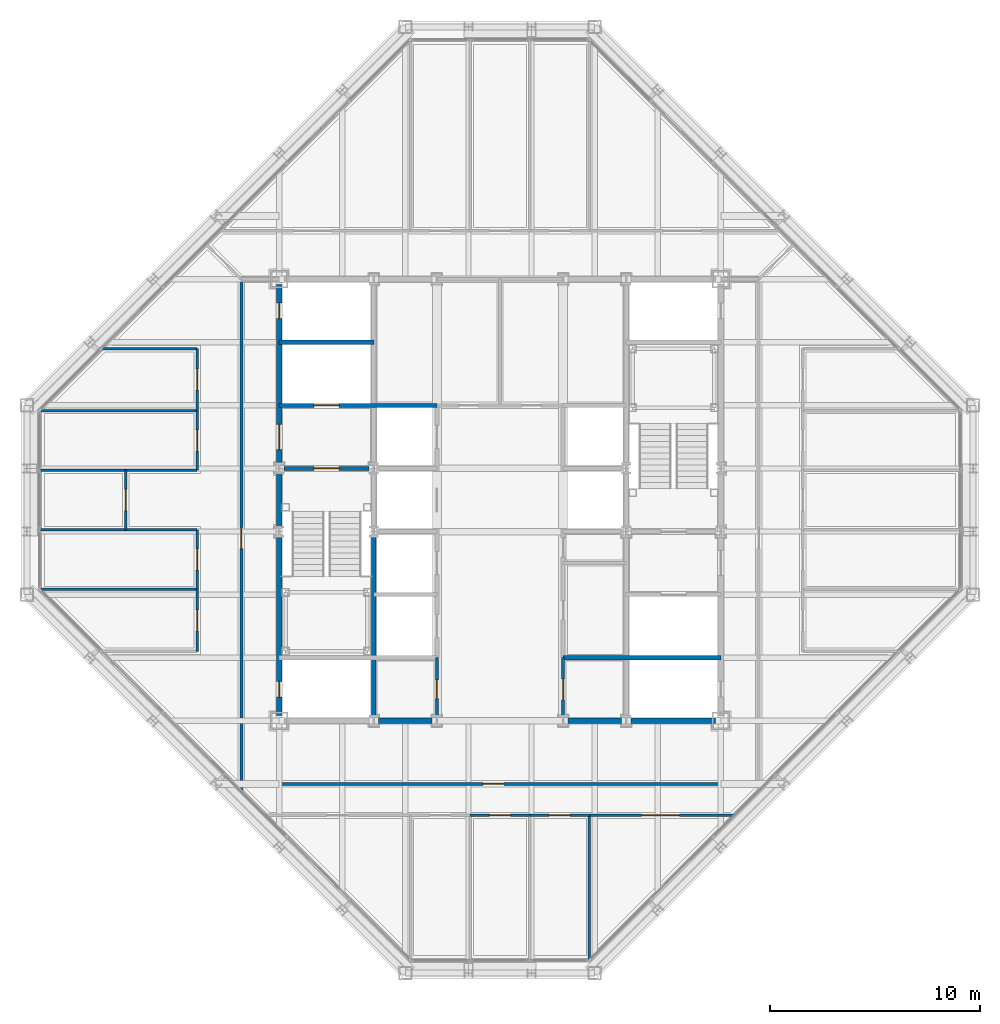
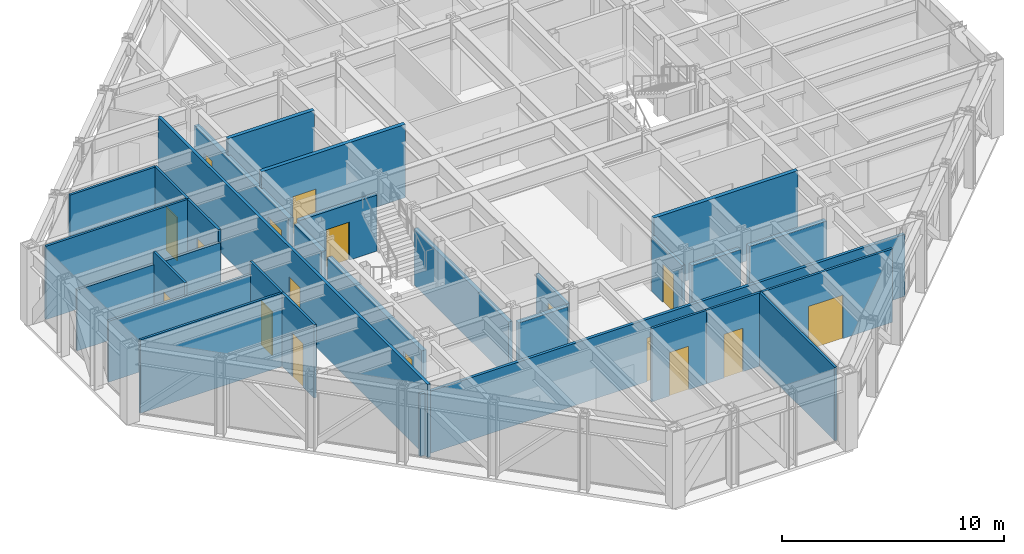
# One storey, part 10 of 15: 29 walls, 17 doors, 17 openings.
"""IFC4 building model written with IfcOpenShell, lengths in metres."""

from ifc_helpers import new_model, si_unit, direction, frame, frame_2d, origin, place, context, subcontext, project, spatial, rectangle, extrude, material, layer, layer_set, type_object, element, fill, save


model = new_model("IFC4")

# Units and contexts
model_context = context("Model", 3, precision=1e-05, world=origin(), true_north=direction((0.0, 1.0)))
body_context = subcontext(model_context, "Body", "Model", "MODEL_VIEW")
ifc_project = project(units=[si_unit("LENGTHUNIT", "METRE"), si_unit("AREAUNIT", "SQUARE_METRE"), si_unit("VOLUMEUNIT", "CUBIC_METRE"), si_unit("PLANEANGLEUNIT", "RADIAN"), si_unit("MASSUNIT", "GRAM", prefix="KILO")], contexts=[model_context])

# Site, building, storey
site_placement = place(None, origin())
site = spatial("IfcSite", under=ifc_project, at=site_placement, CompositionType="ELEMENT")
building_placement = place(site_placement, origin())
building = spatial("IfcBuilding", under=site, at=building_placement, Name="Chuquiago Exchange Tower", CompositionType="ELEMENT")
storey_placement = place(building_placement, frame((0.0, 0.0, 270.60009765625)))
storey = spatial("IfcBuildingStorey", under=building, at=storey_placement, Name="L60", CompositionType="ELEMENT", Elevation=270.60009765625)

# Wall, opening, door
ifc_material_1 = material(Name="Concrete masonry, fully grouted", Category="masonry")
ifc_layer_1 = layer(ifc_material_1, 0.25)
ifc_layer_set_1 = layer_set([ifc_layer_1], Name="W1 core wall 250")
wall_type_1 = type_object("IfcWallType", Name="W1 core wall 250", PredefinedType="SOLIDWALL", material=ifc_layer_set_1)
wall_1_placement = place(storey_placement, frame((12.0, 12.25, 0.0), z_axis=(0.0, 0.0, 1.0), x_axis=(0.0, 1.0, 0.0)))
wall_1 = element("IfcWall", 1, at=wall_1_placement, inside=storey, type_object=wall_type_1, Name="CW-L60-00-0", PredefinedType="SOLIDWALL", context=body_context, shape_type="SweptSolid", body=[
    extrude(rectangle(XDim=8.5, YDim=0.25, at=frame_2d((4.25, 0.0))), origin(), (0.0, 0.0, 1.0), 3.11279296875),
])
opening_1_placement = place(wall_1_placement, frame((0.875, 0.0, 0.0)))
opening_1 = element("IfcOpeningElement", 2, at=opening_1_placement, cuts=wall_1, Name="Opening L60-007", PredefinedType="OPENING", context=body_context, shape_type="SweptSolid", body=[
    extrude(rectangle(XDim=0.75, YDim=2.10009765625, at=frame_2d((0.375, 1.050048828125))), frame((0.0, 0.135009765625, 0.0), z_axis=(0.0, -1.0, 0.0), x_axis=(1.0, 0.0, 0.0)), (0.0, 0.0, 1.0), 0.27001953125),
])
ifc_material_2 = material(Name="Steel door, painted", Category="steel")
door_type_1 = type_object("IfcDoorType", Name="D6 riser access door 750x2100", OperationType="SINGLE_SWING_LEFT", PredefinedType="DOOR", material=ifc_material_2)
door_1_placement = place(opening_1_placement, frame((0.75, 0.0, 0.0), z_axis=(0.0, 0.0, 1.0), x_axis=(-1.0, 0.0, 0.0)))
door_1 = element("IfcDoor", 3, at=door_1_placement, inside=storey, type_object=door_type_1, Name="Riser RW1 door", OperationType="SINGLE_SWING_RIGHT", OverallHeight=2.10009765625, OverallWidth=0.75, PredefinedType="DOOR", context=body_context, shape_type="SweptSolid", body=[
    extrude(rectangle(XDim=0.75, YDim=2.10009765625, at=frame_2d((0.375, 1.050048828125))), frame((0.0, 0.02490234375, 0.0), z_axis=(0.0, -1.0, 0.0), x_axis=(1.0, 0.0, 0.0)), (0.0, 0.0, 1.0), 0.050048828125),
])
fill(opening_1, door_1)

# Wall
wall_2_placement = place(storey_placement, frame((12.0, 21.25, 0.0), z_axis=(0.0, 0.0, 1.0), x_axis=(0.0, 1.0, 0.0)))
element("IfcWall", 4, at=wall_2_placement, inside=storey, type_object=wall_type_1, Name="CW-L60-00-1", PredefinedType="SOLIDWALL", context=body_context, shape_type="SweptSolid", body=[
    extrude(rectangle(XDim=2.5, YDim=0.25, at=frame_2d((1.25, 0.0))), origin(), (0.0, 0.0, 1.0), 3.11279296875),
])

# Wall, openings, doors
wall_3_placement = place(storey_placement, frame((12.0, 24.25, 0.0), z_axis=(0.0, 0.0, 1.0), x_axis=(0.0, 1.0, 0.0)))
wall_3 = element("IfcWall", 5, at=wall_3_placement, inside=storey, type_object=wall_type_1, Name="CW-L60-00-2", PredefinedType="SOLIDWALL", context=body_context, shape_type="SweptSolid", body=[
    extrude(rectangle(XDim=8.5, YDim=0.25, at=frame_2d((4.25, 0.0))), origin(), (0.0, 0.0, 1.0), 3.11279296875),
])
opening_2_placement = place(wall_3_placement, frame((0.64990234375, 0.0, 0.0)))
opening_2 = element("IfcOpeningElement", 6, at=opening_2_placement, cuts=wall_3, Name="Opening L60-002", PredefinedType="OPENING", context=body_context, shape_type="SweptSolid", body=[
    extrude(rectangle(XDim=1.199951171875, YDim=2.10009765625, at=frame_2d((0.60009765625, 1.050048828125))), frame((0.0, 0.135009765625, 0.0), z_axis=(0.0, -1.0, 0.0), x_axis=(1.0, 0.0, 0.0)), (0.0, 0.0, 1.0), 0.27001953125),
])
opening_3_placement = place(wall_3_placement, frame((6.875, 0.0, 0.0)))
opening_3 = element("IfcOpeningElement", 7, at=opening_3_placement, cuts=wall_3, Name="Opening L60-008", PredefinedType="OPENING", context=body_context, shape_type="SweptSolid", body=[
    extrude(rectangle(XDim=0.75, YDim=2.10009765625, at=frame_2d((0.375, 1.050048828125))), frame((0.0, 0.135009765625, 0.0), z_axis=(0.0, -1.0, 0.0), x_axis=(1.0, 0.0, 0.0)), (0.0, 0.0, 1.0), 0.27001953125),
])
ifc_material_3 = material(Name="Steel door, painted", Category="steel")
door_type_2 = type_object("IfcDoorType", Name="D5 firefighting lobby door 1200x2100", OperationType="SINGLE_SWING_LEFT", PredefinedType="DOOR", material=ifc_material_3)
door_2_placement = place(opening_2_placement, frame((1.199951171875, 0.0, 0.0), z_axis=(0.0, 0.0, 1.0), x_axis=(-1.0, 0.0, 0.0)))
door_2 = element("IfcDoor", 8, at=door_2_placement, inside=storey, type_object=door_type_2, Name="Firefighting lobby 1 door", OperationType="SINGLE_SWING_RIGHT", OverallHeight=2.10009765625, OverallWidth=1.199951171875, PredefinedType="DOOR", context=body_context, shape_type="SweptSolid", body=[
    extrude(rectangle(XDim=1.199951171875, YDim=2.10009765625, at=frame_2d((0.60009765625, 1.050048828125))), frame((0.0, 0.02490234375, 0.0), z_axis=(0.0, -1.0, 0.0), x_axis=(1.0, 0.0, 0.0)), (0.0, 0.0, 1.0), 0.050048828125),
])
fill(opening_2, door_2)
door_3_placement = place(opening_3_placement, frame((0.75, 0.0, 0.0), z_axis=(0.0, 0.0, 1.0), x_axis=(-1.0, 0.0, 0.0)))
door_3 = element("IfcDoor", 9, at=door_3_placement, inside=storey, type_object=door_type_1, Name="Riser RW2 door", OperationType="SINGLE_SWING_LEFT", OverallHeight=2.10009765625, OverallWidth=0.75, PredefinedType="DOOR", context=body_context, shape_type="SweptSolid", body=[
    extrude(rectangle(XDim=0.75, YDim=2.10009765625, at=frame_2d((0.375, 1.050048828125))), frame((0.0, 0.02490234375, 0.0), z_axis=(0.0, -1.0, 0.0), x_axis=(1.0, 0.0, 0.0)), (0.0, 0.0, 1.0), 0.050048828125),
])
fill(opening_3, door_3)

# Walls
for number, where, z_axis, x_axis, name in (
    (10, (16.724853515625, 12.0, 0.0), (0.0, 0.0, 1.0), (1.0, 0.0, 0.0), "CW-L60-01-1"),
    (11, (25.724853515625, 12.0, 0.0), (0.0, 0.0, 1.0), (1.0, 0.0, 0.0), "CW-L60-02-0"),
):
    element("IfcWall", number, at=place(storey_placement, frame(where, z_axis=z_axis, x_axis=x_axis)), inside=storey, type_object=wall_type_1, Name=name, PredefinedType="SOLIDWALL", context=body_context, shape_type="SweptSolid", body=[
        extrude(rectangle(XDim=2.55029296875, YDim=0.25, at=frame_2d((1.275146484375, 0.0))), origin(), (0.0, 0.0, 1.0), 3.181396484375),
    ])
wall_4_placement = place(storey_placement, frame((28.724853515625, 12.0, 0.0), z_axis=(0.0, 0.0, 1.0), x_axis=(1.0, 0.0, 0.0)))
element("IfcWall", 12, at=wall_4_placement, inside=storey, type_object=wall_type_1, Name="CW-L60-02-1", PredefinedType="SOLIDWALL", context=body_context, shape_type="SweptSolid", body=[
    extrude(rectangle(XDim=4.025146484375, YDim=0.25, at=frame_2d((2.0126953125, 0.0))), origin(), (0.0, 0.0, 1.0), 3.181396484375),
])

# Wall, opening, door
ifc_material_4 = material(Name="Gypsum board on steel studs, acoustic insulation", Category="steel")
ifc_layer_2 = layer(ifc_material_4, 0.14990234375)
ifc_layer_set_2 = layer_set([ifc_layer_2], Name="W11 corridor wall 150")
wall_type_2 = type_object("IfcWallType", Name="W11 corridor wall 150", PredefinedType="PARTITIONING", material=ifc_layer_set_2)
wall_5_placement = place(storey_placement, frame((9.885498046875, 9.0, 0.0), z_axis=(0.0, 0.0, 1.0), x_axis=(1.0, 0.0, 0.0)))
wall_5 = element("IfcWall", 13, at=wall_5_placement, inside=storey, type_object=wall_type_2, Name="PW-L60-GS0", PredefinedType="PARTITIONING", context=body_context, shape_type="SweptSolid", body=[
    extrude(rectangle(XDim=25.22900390625, YDim=0.14990234375, at=frame_2d((12.614501953125, 0.0))), origin(), (0.0, 0.0, 1.0), 3.427734375),
])
opening_4_placement = place(wall_5_placement, frame((11.800048828125, 0.0, 0.0)))
opening_4 = element("IfcOpeningElement", 14, at=opening_4_placement, cuts=wall_5, Name="Opening L60-041", PredefinedType="OPENING", context=body_context, shape_type="SweptSolid", body=[
    extrude(rectangle(XDim=1.0, YDim=2.39990234375, at=frame_2d((0.5, 1.199951171875))), frame((0.0, 0.0849609375, 0.0), z_axis=(0.0, -1.0, 0.0), x_axis=(1.0, 0.0, 0.0)), (0.0, 0.0, 1.0), 0.169921875),
])
ifc_material_5 = material(Name="Timber door, laminate faced", Category="wood")
door_type_3 = type_object("IfcDoorType", Name="D9 room door 1000x2400", OperationType="SINGLE_SWING_LEFT", PredefinedType="DOOR", material=ifc_material_5)
door_4_placement = place(opening_4_placement, frame((1.0, 0.0, 0.0), z_axis=(0.0, 0.0, 1.0), x_axis=(-1.0, 0.0, 0.0)))
door_4 = element("IfcDoor", 15, at=door_4_placement, inside=storey, type_object=door_type_3, Name="Team area door", OperationType="SINGLE_SWING_RIGHT", OverallHeight=2.39990234375, OverallWidth=1.0, PredefinedType="DOOR", context=body_context, shape_type="SweptSolid", body=[
    extrude(rectangle(XDim=1.0, YDim=2.39990234375, at=frame_2d((0.5, 1.199951171875))), frame((0.0, 0.02490234375, 0.0), z_axis=(0.0, -1.0, 0.0), x_axis=(1.0, 0.0, 0.0)), (0.0, 0.0, 1.0), 0.050048828125),
])
fill(opening_4, door_4)

wall_6_placement = place(storey_placement, frame((10.199951171875, 8.685546875, 0.0), z_axis=(0.0, 0.0, 1.0), x_axis=(0.0, 1.0, 0.0)))
wall_6 = element("IfcWall", 16, at=wall_6_placement, inside=storey, type_object=wall_type_2, Name="PW-L60-GW0", PredefinedType="PARTITIONING", context=body_context, shape_type="SweptSolid", body=[
    extrude(rectangle(XDim=24.314453125, YDim=0.14990234375, at=frame_2d((12.1572265625, 0.0))), origin(), (0.0, 0.0, 1.0), 4.039794921875),
])
opening_5_placement = place(wall_6_placement, frame((11.5, 0.0, 0.0)))
opening_5 = element("IfcOpeningElement", 17, at=opening_5_placement, cuts=wall_6, Name="Opening L60-042", PredefinedType="OPENING", context=body_context, shape_type="SweptSolid", body=[
    extrude(rectangle(XDim=1.0, YDim=2.39990234375, at=frame_2d((0.5, 1.199951171875))), frame((0.0, 0.0849609375, 0.0), z_axis=(0.0, -1.0, 0.0), x_axis=(1.0, 0.0, 0.0)), (0.0, 0.0, 1.0), 0.169921875),
])
door_5_placement = place(opening_5_placement, origin())
door_5 = element("IfcDoor", 18, at=door_5_placement, inside=storey, type_object=door_type_3, Name="Team area door", OperationType="SINGLE_SWING_LEFT", OverallHeight=2.39990234375, OverallWidth=1.0, PredefinedType="DOOR", context=body_context, shape_type="SweptSolid", body=[
    extrude(rectangle(XDim=1.0, YDim=2.39990234375, at=frame_2d((0.5, 1.199951171875))), frame((0.0, 0.02490234375, 0.0), z_axis=(0.0, -1.0, 0.0), x_axis=(1.0, 0.0, 0.0)), (0.0, 0.0, 1.0), 0.050048828125),
])
fill(opening_5, door_5)

# Wall
ifc_material_6 = material(Name="Concrete masonry, fully grouted", Category="masonry")
ifc_layer_3 = layer(ifc_material_6, 0.199951171875)
ifc_layer_set_3 = layer_set([ifc_layer_3], Name="W2 shaft wall 200")
wall_type_3 = type_object("IfcWallType", Name="W2 shaft wall 200", PredefinedType="SOLIDWALL", material=ifc_layer_set_3)
wall_7_placement = place(storey_placement, frame((25.5, 15.0, 0.0), z_axis=(0.0, 0.0, 1.0), x_axis=(1.0, 0.0, 0.0)))
element("IfcWall", 19, at=wall_7_placement, inside=storey, type_object=wall_type_3, Name="CW-L60-04-0", PredefinedType="SOLIDWALL", context=body_context, shape_type="SweptSolid", body=[
    extrude(rectangle(XDim=7.5, YDim=0.199951171875, at=frame_2d((3.75, 0.0))), origin(), (0.0, 0.0, 1.0), 4.039794921875),
])

# Wall, opening, door
wall_8_placement = place(storey_placement, frame((12.224853515625, 24.0, 0.0), z_axis=(0.0, 0.0, 1.0), x_axis=(1.0, 0.0, 0.0)))
wall_8 = element("IfcWall", 20, at=wall_8_placement, inside=storey, type_object=wall_type_3, Name="CW-L60-05-0", PredefinedType="SOLIDWALL", context=body_context, shape_type="SweptSolid", body=[
    extrude(rectangle(XDim=4.05029296875, YDim=0.199951171875, at=frame_2d((2.025146484375, 0.0))), origin(), (0.0, 0.0, 1.0), 3.08984375),
])
opening_6_placement = place(wall_8_placement, frame((1.42529296875, 0.0, 0.0)))
opening_6 = element("IfcOpeningElement", 21, at=opening_6_placement, cuts=wall_8, Name="Opening L60-001", PredefinedType="OPENING", context=body_context, shape_type="SweptSolid", body=[
    extrude(rectangle(XDim=1.199951171875, YDim=2.10009765625, at=frame_2d((0.60009765625, 1.050048828125))), frame((0.0, 0.10986328125, 0.0), z_axis=(0.0, -1.0, 0.0), x_axis=(1.0, 0.0, 0.0)), (0.0, 0.0, 1.0), 0.219970703125),
])
ifc_material_7 = material(Name="Steel door, painted", Category="steel")
door_type_4 = type_object("IfcDoorType", Name="D4 stair door 1200x2100", OperationType="SINGLE_SWING_LEFT", PredefinedType="DOOR", material=ifc_material_7)
door_6_placement = place(opening_6_placement, frame((1.199951171875, 0.0, 0.0), z_axis=(0.0, 0.0, 1.0), x_axis=(-1.0, 0.0, 0.0)))
door_6 = element("IfcDoor", 22, at=door_6_placement, inside=storey, type_object=door_type_4, Name="Stair ST1 door", OperationType="SINGLE_SWING_RIGHT", OverallHeight=2.10009765625, OverallWidth=1.199951171875, PredefinedType="DOOR", context=body_context, shape_type="SweptSolid", body=[
    extrude(rectangle(XDim=1.199951171875, YDim=2.10009765625, at=frame_2d((0.60009765625, 1.050048828125))), frame((0.0, 0.02490234375, 0.0), z_axis=(0.0, -1.0, 0.0), x_axis=(1.0, 0.0, 0.0)), (0.0, 0.0, 1.0), 0.050048828125),
])
fill(opening_6, door_6)

wall_9_placement = place(storey_placement, frame((12.0, 27.0, 0.0), z_axis=(0.0, 0.0, 1.0), x_axis=(1.0, 0.0, 0.0)))
wall_9 = element("IfcWall", 23, at=wall_9_placement, inside=storey, type_object=wall_type_3, Name="CW-L60-07-0", PredefinedType="SOLIDWALL", context=body_context, shape_type="SweptSolid", body=[
    extrude(rectangle(XDim=7.5, YDim=0.199951171875, at=frame_2d((3.75, 0.0))), origin(), (0.0, 0.0, 1.0), 4.039794921875),
])
opening_7_placement = place(wall_9_placement, frame((1.64990234375, 0.0, 0.0)))
opening_7 = element("IfcOpeningElement", 24, at=opening_7_placement, cuts=wall_9, Name="Opening L60-005", PredefinedType="OPENING", context=body_context, shape_type="SweptSolid", body=[
    extrude(rectangle(XDim=1.199951171875, YDim=2.10009765625, at=frame_2d((0.60009765625, 1.050048828125))), frame((0.0, 0.10986328125, 0.0), z_axis=(0.0, -1.0, 0.0), x_axis=(1.0, 0.0, 0.0)), (0.0, 0.0, 1.0), 0.219970703125),
])
ifc_material_8 = material(Name="Stainless steel lift landing door", Category="steel")
door_type_5 = type_object("IfcDoorType", Name="LD2 firefighting lift landing door 1200x2100", OperationType="DOUBLE_DOOR_SLIDING", PredefinedType="DOOR", material=ifc_material_8)
door_7_placement = place(opening_7_placement, origin())
door_7 = element("IfcDoor", 25, at=door_7_placement, inside=storey, type_object=door_type_5, Name="Firefighting lift FL1 landing door", OperationType="DOUBLE_DOOR_SLIDING", OverallHeight=2.10009765625, OverallWidth=1.199951171875, PredefinedType="DOOR", context=body_context, shape_type="SweptSolid", body=[
    extrude(rectangle(XDim=1.199951171875, YDim=2.10009765625, at=frame_2d((0.60009765625, 1.050048828125))), frame((0.0, 0.02490234375, 0.0), z_axis=(0.0, -1.0, 0.0), x_axis=(1.0, 0.0, 0.0)), (0.0, 0.0, 1.0), 0.050048828125),
])
fill(opening_7, door_7)

# Walls
wall_10_placement = place(storey_placement, frame((12.0, 30.0, 0.0), z_axis=(0.0, 0.0, 1.0), x_axis=(1.0, 0.0, 0.0)))
element("IfcWall", 26, at=wall_10_placement, inside=storey, type_object=wall_type_3, Name="CW-L60-09-0", PredefinedType="SOLIDWALL", context=body_context, shape_type="SweptSolid", body=[
    extrude(rectangle(XDim=4.5, YDim=0.199951171875, at=frame_2d((2.25, 0.0))), origin(), (0.0, 0.0, 1.0), 4.039794921875),
])
wall_11_placement = place(storey_placement, frame((16.5, 12.25, 0.0), z_axis=(0.0, 0.0, 1.0), x_axis=(0.0, 1.0, 0.0)))
element("IfcWall", 27, at=wall_11_placement, inside=storey, type_object=wall_type_3, Name="CW-L60-13-0", PredefinedType="SOLIDWALL", context=body_context, shape_type="SweptSolid", body=[
    extrude(rectangle(XDim=8.5, YDim=0.199951171875, at=frame_2d((4.25, 0.0))), origin(), (0.0, 0.0, 1.0), 3.11279296875),
])

# Wall, opening, door
ifc_material_9 = material(Name="Gypsum board on steel studs", Category="steel")
ifc_layer_4 = layer(ifc_material_9, 0.14990234375)
ifc_layer_set_4 = layer_set([ifc_layer_4], Name="W3 core partition 150")
wall_type_4 = type_object("IfcWallType", Name="W3 core partition 150", PredefinedType="PARTITIONING", material=ifc_layer_set_4)
wall_12_placement = place(storey_placement, frame((19.5, 12.25, 0.0), z_axis=(0.0, 0.0, 1.0), x_axis=(0.0, 1.0, 0.0)))
wall_12 = element("IfcWall", 28, at=wall_12_placement, inside=storey, type_object=wall_type_4, Name="CW-L60-18-0", PredefinedType="PARTITIONING", context=body_context, shape_type="SweptSolid", body=[
    extrude(rectangle(XDim=2.75, YDim=0.14990234375, at=frame_2d((1.375, 0.0))), origin(), (0.0, 0.0, 1.0), 3.064453125),
])
opening_8_placement = place(wall_12_placement, frame((0.800048828125, 0.0, 0.0)))
opening_8 = element("IfcOpeningElement", 29, at=opening_8_placement, cuts=wall_12, Name="Opening L60-016", PredefinedType="OPENING", context=body_context, shape_type="SweptSolid", body=[
    extrude(rectangle(XDim=0.89990234375, YDim=2.10009765625, at=frame_2d((0.449951171875, 1.050048828125))), frame((0.0, 0.0849609375, 0.0), z_axis=(0.0, -1.0, 0.0), x_axis=(1.0, 0.0, 0.0)), (0.0, 0.0, 1.0), 0.169921875),
])
ifc_material_10 = material(Name="Timber door, laminate faced", Category="wood")
door_type_6 = type_object("IfcDoorType", Name="D7 toilet door 900x2100", OperationType="SINGLE_SWING_LEFT", PredefinedType="DOOR", material=ifc_material_10)
door_8_placement = place(opening_8_placement, frame((0.89990234375, 0.0, 0.0), z_axis=(0.0, 0.0, 1.0), x_axis=(-1.0, 0.0, 0.0)))
door_8 = element("IfcDoor", 30, at=door_8_placement, inside=storey, type_object=door_type_6, Name="Cleaner door", OperationType="SINGLE_SWING_RIGHT", OverallHeight=2.10009765625, OverallWidth=0.89990234375, PredefinedType="DOOR", context=body_context, shape_type="SweptSolid", body=[
    extrude(rectangle(XDim=0.89990234375, YDim=2.10009765625, at=frame_2d((0.449951171875, 1.050048828125))), frame((0.0, 0.02490234375, 0.0), z_axis=(0.0, -1.0, 0.0), x_axis=(1.0, 0.0, 0.0)), (0.0, 0.0, 1.0), 0.050048828125),
])
fill(opening_8, door_8)

wall_13_placement = place(storey_placement, frame((25.5, 12.25, 0.0), z_axis=(0.0, 0.0, 1.0), x_axis=(0.0, 1.0, 0.0)))
wall_13 = element("IfcWall", 31, at=wall_13_placement, inside=storey, type_object=wall_type_4, Name="CW-L60-21-0", PredefinedType="PARTITIONING", context=body_context, shape_type="SweptSolid", body=[
    extrude(rectangle(XDim=2.75, YDim=0.14990234375, at=frame_2d((1.375, 0.0))), origin(), (0.0, 0.0, 1.0), 3.064453125),
])
opening_9_placement = place(wall_13_placement, frame((0.75, 0.0, 0.0)))
opening_9 = element("IfcOpeningElement", 32, at=opening_9_placement, cuts=wall_13, Name="Opening L60-013", PredefinedType="OPENING", context=body_context, shape_type="SweptSolid", body=[
    extrude(rectangle(XDim=1.0, YDim=2.10009765625, at=frame_2d((0.5, 1.050048828125))), frame((0.0, 0.0849609375, 0.0), z_axis=(0.0, -1.0, 0.0), x_axis=(1.0, 0.0, 0.0)), (0.0, 0.0, 1.0), 0.169921875),
])
ifc_material_11 = material(Name="Timber door, laminate faced", Category="wood")
door_type_7 = type_object("IfcDoorType", Name="D8 accessible toilet door 1000x2100", OperationType="SLIDING_TO_LEFT", PredefinedType="DOOR", material=ifc_material_11)
door_9_placement = place(opening_9_placement, origin())
door_9 = element("IfcDoor", 33, at=door_9_placement, inside=storey, type_object=door_type_7, Name="Accessible WC door", OperationType="SLIDING_TO_LEFT", OverallHeight=2.10009765625, OverallWidth=1.0, PredefinedType="DOOR", context=body_context, shape_type="SweptSolid", body=[
    extrude(rectangle(XDim=1.0, YDim=2.10009765625, at=frame_2d((0.5, 1.050048828125))), frame((0.0, 0.02490234375, 0.0), z_axis=(0.0, -1.0, 0.0), x_axis=(1.0, 0.0, 0.0)), (0.0, 0.0, 1.0), 0.050048828125),
])
fill(opening_9, door_9)

# Wall
ifc_material_12 = material(Name="Gypsum board on steel studs", Category="steel")
ifc_layer_5 = layer(ifc_material_12, 0.1201171875)
ifc_layer_set_5 = layer_set([ifc_layer_5], Name="W4 partition 120")
wall_type_5 = type_object("IfcWallType", Name="W4 partition 120", PredefinedType="PARTITIONING", material=ifc_layer_set_5)
wall_14_placement = place(storey_placement, frame((26.75146484375, 0.666015625, 0.0), z_axis=(0.0, 0.0, 1.0), x_axis=(0.0, 1.0, 0.0)))
element("IfcWall", 34, at=wall_14_placement, inside=storey, type_object=wall_type_5, Name="PW-L60-S02675", PredefinedType="PARTITIONING", context=body_context, shape_type="SweptSolid", body=[
    extrude(rectangle(XDim=6.833984375, YDim=0.1201171875, at=frame_2d((3.4169921875, 0.0))), origin(), (0.0, 0.0, 1.0), 4.039794921875),
])

# Wall, opening, door
wall_15_placement = place(storey_placement, frame((21.082763671875, 7.5, 0.0), z_axis=(0.0, 0.0, 1.0), x_axis=(1.0, 0.0, 0.0)))
wall_15 = element("IfcWall", 35, at=wall_15_placement, inside=storey, type_object=wall_type_5, Name="PW-L60-SF02108", PredefinedType="PARTITIONING", context=body_context, shape_type="SweptSolid", body=[
    extrude(rectangle(XDim=2.83447265625, YDim=0.1201171875, at=frame_2d((1.417236328125, 0.0))), origin(), (0.0, 0.0, 1.0), 4.039794921875),
])
opening_10_placement = place(wall_15_placement, frame((0.917236328125, 0.0, 0.0)))
opening_10 = element("IfcOpeningElement", 36, at=opening_10_placement, cuts=wall_15, Name="Opening L60-023", PredefinedType="OPENING", context=body_context, shape_type="SweptSolid", body=[
    extrude(rectangle(XDim=1.0, YDim=2.39990234375, at=frame_2d((0.5, 1.199951171875))), frame((0.0, 0.070068359375, 0.0), z_axis=(0.0, -1.0, 0.0), x_axis=(1.0, 0.0, 0.0)), (0.0, 0.0, 1.0), 0.14013671875),
])
door_10_placement = place(opening_10_placement, frame((1.0, 0.0, 0.0), z_axis=(0.0, 0.0, 1.0), x_axis=(-1.0, 0.0, 0.0)))
door_10 = element("IfcDoor", 37, at=door_10_placement, inside=storey, type_object=door_type_3, Name="Executive office door", OperationType="SINGLE_SWING_RIGHT", OverallHeight=2.39990234375, OverallWidth=1.0, PredefinedType="DOOR", context=body_context, shape_type="SweptSolid", body=[
    extrude(rectangle(XDim=1.0, YDim=2.39990234375, at=frame_2d((0.5, 1.199951171875))), frame((0.0, 0.02490234375, 0.0), z_axis=(0.0, -1.0, 0.0), x_axis=(1.0, 0.0, 0.0)), (0.0, 0.0, 1.0), 0.050048828125),
])
fill(opening_10, door_10)

wall_16_placement = place(storey_placement, frame((23.917236328125, 7.5, 0.0), z_axis=(0.0, 0.0, 1.0), x_axis=(1.0, 0.0, 0.0)))
wall_16 = element("IfcWall", 38, at=wall_16_placement, inside=storey, type_object=wall_type_5, Name="PW-L60-SF02392", PredefinedType="PARTITIONING", context=body_context, shape_type="SweptSolid", body=[
    extrude(rectangle(XDim=2.834228515625, YDim=0.1201171875, at=frame_2d((1.4169921875, 0.0))), origin(), (0.0, 0.0, 1.0), 4.039794921875),
])
opening_11_placement = place(wall_16_placement, frame((0.9169921875, 0.0, 0.0)))
opening_11 = element("IfcOpeningElement", 39, at=opening_11_placement, cuts=wall_16, Name="Opening L60-024", PredefinedType="OPENING", context=body_context, shape_type="SweptSolid", body=[
    extrude(rectangle(XDim=1.0, YDim=2.39990234375, at=frame_2d((0.5, 1.199951171875))), frame((0.0, 0.070068359375, 0.0), z_axis=(0.0, -1.0, 0.0), x_axis=(1.0, 0.0, 0.0)), (0.0, 0.0, 1.0), 0.14013671875),
])
ifc_material_13 = material(Name="Timber frame door, full height glazed panel", Category="wood")
door_type_8 = type_object("IfcDoorType", Name="D14 glazed meeting room door 1000x2400", OperationType="SINGLE_SWING_LEFT", PredefinedType="DOOR", material=ifc_material_13)
door_11_placement = place(opening_11_placement, frame((1.0, 0.0, 0.0), z_axis=(0.0, 0.0, 1.0), x_axis=(-1.0, 0.0, 0.0)))
door_11 = element("IfcDoor", 40, at=door_11_placement, inside=storey, type_object=door_type_8, Name="Meeting room door", OperationType="SINGLE_SWING_RIGHT", OverallHeight=2.39990234375, OverallWidth=1.0, PredefinedType="DOOR", context=body_context, shape_type="SweptSolid", body=[
    extrude(rectangle(XDim=1.0, YDim=2.39990234375, at=frame_2d((0.5, 1.199951171875))), frame((0.0, 0.02490234375, 0.0), z_axis=(0.0, -1.0, 0.0), x_axis=(1.0, 0.0, 0.0)), (0.0, 0.0, 1.0), 0.050048828125),
])
fill(opening_11, door_11)

wall_17_placement = place(storey_placement, frame((26.75146484375, 7.5, 0.0), z_axis=(0.0, 0.0, 1.0), x_axis=(1.0, 0.0, 0.0)))
wall_17 = element("IfcWall", 41, at=wall_17_placement, inside=storey, type_object=wall_type_5, Name="PW-L60-SF02675", PredefinedType="PARTITIONING", context=body_context, shape_type="SweptSolid", body=[
    extrude(rectangle(XDim=6.863037109375, YDim=0.1201171875, at=frame_2d((3.431640625, 0.0))), origin(), (0.0, 0.0, 1.0), 4.039794921875),
])
opening_12_placement = place(wall_17_placement, frame((2.479248046875, 0.0, 0.0)))
opening_12 = element("IfcOpeningElement", 42, at=opening_12_placement, cuts=wall_17, Name="Opening L60-025", PredefinedType="OPENING", context=body_context, shape_type="SweptSolid", body=[
    extrude(rectangle(XDim=1.800048828125, YDim=2.39990234375, at=frame_2d((0.89990234375, 1.199951171875))), frame((0.0, 0.070068359375, 0.0), z_axis=(0.0, -1.0, 0.0), x_axis=(1.0, 0.0, 0.0)), (0.0, 0.0, 1.0), 0.14013671875),
])
ifc_material_14 = material(Name="Timber door pair, laminate faced", Category="wood")
door_type_9 = type_object("IfcDoorType", Name="D15 double room door 1800x2400", OperationType="DOUBLE_DOOR_DOUBLE_SWING", PredefinedType="DOOR", material=ifc_material_14)
door_12_placement = place(opening_12_placement, origin())
door_12 = element("IfcDoor", 43, at=door_12_placement, inside=storey, type_object=door_type_9, Name="Dining room door", OperationType="DOUBLE_DOOR_DOUBLE_SWING", OverallHeight=2.39990234375, OverallWidth=1.800048828125, PredefinedType="DOOR", context=body_context, shape_type="SweptSolid", body=[
    extrude(rectangle(XDim=1.800048828125, YDim=2.39990234375, at=frame_2d((0.89990234375, 1.199951171875))), frame((0.0, 0.02490234375, 0.0), z_axis=(0.0, -1.0, 0.0), x_axis=(1.0, 0.0, 0.0)), (0.0, 0.0, 1.0), 0.050048828125),
])
fill(opening_12, door_12)

# Walls
wall_18_placement = place(storey_placement, frame((0.666015625, 18.24853515625, 0.0), z_axis=(0.0, 0.0, 1.0), x_axis=(1.0, 0.0, 0.0)))
element("IfcWall", 44, at=wall_18_placement, inside=storey, type_object=wall_type_5, Name="PW-L60-W01825", PredefinedType="PARTITIONING", context=body_context, shape_type="SweptSolid", body=[
    extrude(rectangle(XDim=7.43408203125, YDim=0.1201171875, at=frame_2d((3.717041015625, 0.0))), origin(), (0.0, 0.0, 1.0), 4.039794921875),
])
for number, where, z_axis, x_axis, name in (
    (45, (0.652587890625, 21.082763671875, 0.0), (0.0, 0.0, 1.0), (1.0, 0.0, 0.0), "PW-L60-W02108"),
    (46, (0.652587890625, 23.917236328125, 0.0), (0.0, 0.0, 1.0), (1.0, 0.0, 0.0), "PW-L60-W02392"),
):
    element("IfcWall", number, at=place(storey_placement, frame(where, z_axis=z_axis, x_axis=x_axis)), inside=storey, type_object=wall_type_5, Name=name, PredefinedType="PARTITIONING", context=body_context, shape_type="SweptSolid", body=[
        extrude(rectangle(XDim=7.447509765625, YDim=0.1201171875, at=frame_2d((3.7236328125, 0.0))), origin(), (0.0, 0.0, 1.0), 3.356689453125),
    ])
wall_19_placement = place(storey_placement, frame((0.666015625, 26.75146484375, 0.0), z_axis=(0.0, 0.0, 1.0), x_axis=(1.0, 0.0, 0.0)))
element("IfcWall", 47, at=wall_19_placement, inside=storey, type_object=wall_type_5, Name="PW-L60-W02675", PredefinedType="PARTITIONING", context=body_context, shape_type="SweptSolid", body=[
    extrude(rectangle(XDim=7.43408203125, YDim=0.1201171875, at=frame_2d((3.717041015625, 0.0))), origin(), (0.0, 0.0, 1.0), 4.039794921875),
])
wall_20_placement = place(storey_placement, frame((3.607421875, 29.69287109375, 0.0), z_axis=(0.0, 0.0, 1.0), x_axis=(1.0, 0.0, 0.0)))
element("IfcWall", 48, at=wall_20_placement, inside=storey, type_object=wall_type_5, Name="PW-L60-W02969", PredefinedType="PARTITIONING", context=body_context, shape_type="SweptSolid", body=[
    extrude(rectangle(XDim=4.49267578125, YDim=0.1201171875, at=frame_2d((2.246337890625, 0.0))), origin(), (0.0, 0.0, 1.0), 4.039794921875),
])

# Wall, opening, door
wall_21_placement = place(storey_placement, frame((8.10009765625, 15.30712890625, 0.0), z_axis=(0.0, 0.0, 1.0), x_axis=(0.0, 1.0, 0.0)))
wall_21 = element("IfcWall", 49, at=wall_21_placement, inside=storey, type_object=wall_type_5, Name="PW-L60-WF01531", PredefinedType="PARTITIONING", context=body_context, shape_type="SweptSolid", body=[
    extrude(rectangle(XDim=2.94140625, YDim=0.1201171875, at=frame_2d((1.470703125, 0.0))), origin(), (0.0, 0.0, 1.0), 4.039794921875),
])
opening_13_placement = place(wall_21_placement, frame((0.970703125, 0.0, 0.0)))
opening_13 = element("IfcOpeningElement", 50, at=opening_13_placement, cuts=wall_21, Name="Opening L60-036", PredefinedType="OPENING", context=body_context, shape_type="SweptSolid", body=[
    extrude(rectangle(XDim=1.0, YDim=2.39990234375, at=frame_2d((0.5, 1.199951171875))), frame((0.0, 0.070068359375, 0.0), z_axis=(0.0, -1.0, 0.0), x_axis=(1.0, 0.0, 0.0)), (0.0, 0.0, 1.0), 0.14013671875),
])
door_13_placement = place(opening_13_placement, origin())
door_13 = element("IfcDoor", 51, at=door_13_placement, inside=storey, type_object=door_type_3, Name="Executive office door", OperationType="SINGLE_SWING_RIGHT", OverallHeight=2.39990234375, OverallWidth=1.0, PredefinedType="DOOR", context=body_context, shape_type="SweptSolid", body=[
    extrude(rectangle(XDim=1.0, YDim=2.39990234375, at=frame_2d((0.5, 1.199951171875))), frame((0.0, 0.02490234375, 0.0), z_axis=(0.0, -1.0, 0.0), x_axis=(1.0, 0.0, 0.0)), (0.0, 0.0, 1.0), 0.050048828125),
])
fill(opening_13, door_13)

wall_22_placement = place(storey_placement, frame((8.10009765625, 18.24853515625, 0.0), z_axis=(0.0, 0.0, 1.0), x_axis=(0.0, 1.0, 0.0)))
wall_22 = element("IfcWall", 52, at=wall_22_placement, inside=storey, type_object=wall_type_5, Name="PW-L60-WF01825", PredefinedType="PARTITIONING", context=body_context, shape_type="SweptSolid", body=[
    extrude(rectangle(XDim=2.834228515625, YDim=0.1201171875, at=frame_2d((1.4169921875, 0.0))), origin(), (0.0, 0.0, 1.0), 4.039794921875),
])
opening_14_placement = place(wall_22_placement, frame((0.9169921875, 0.0, 0.0)))
opening_14 = element("IfcOpeningElement", 53, at=opening_14_placement, cuts=wall_22, Name="Opening L60-037", PredefinedType="OPENING", context=body_context, shape_type="SweptSolid", body=[
    extrude(rectangle(XDim=1.0, YDim=2.39990234375, at=frame_2d((0.5, 1.199951171875))), frame((0.0, 0.070068359375, 0.0), z_axis=(0.0, -1.0, 0.0), x_axis=(1.0, 0.0, 0.0)), (0.0, 0.0, 1.0), 0.14013671875),
])
door_14_placement = place(opening_14_placement, origin())
door_14 = element("IfcDoor", 54, at=door_14_placement, inside=storey, type_object=door_type_3, Name="Office door", OperationType="SINGLE_SWING_LEFT", OverallHeight=2.39990234375, OverallWidth=1.0, PredefinedType="DOOR", context=body_context, shape_type="SweptSolid", body=[
    extrude(rectangle(XDim=1.0, YDim=2.39990234375, at=frame_2d((0.5, 1.199951171875))), frame((0.0, 0.02490234375, 0.0), z_axis=(0.0, -1.0, 0.0), x_axis=(1.0, 0.0, 0.0)), (0.0, 0.0, 1.0), 0.050048828125),
])
fill(opening_14, door_14)

wall_23_placement = place(storey_placement, frame((4.699951171875, 21.082763671875, 0.0), z_axis=(0.0, 0.0, 1.0), x_axis=(0.0, 1.0, 0.0)))
wall_23 = element("IfcWall", 55, at=wall_23_placement, inside=storey, type_object=wall_type_5, Name="PW-L60-WF02108", PredefinedType="PARTITIONING", context=body_context, shape_type="SweptSolid", body=[
    extrude(rectangle(XDim=2.83447265625, YDim=0.1201171875, at=frame_2d((1.417236328125, 0.0))), origin(), (0.0, 0.0, 1.0), 4.039794921875),
])
opening_15_placement = place(wall_23_placement, frame((0.917236328125, 0.0, 0.0)))
opening_15 = element("IfcOpeningElement", 56, at=opening_15_placement, cuts=wall_23, Name="Opening L60-038", PredefinedType="OPENING", context=body_context, shape_type="SweptSolid", body=[
    extrude(rectangle(XDim=1.0, YDim=2.39990234375, at=frame_2d((0.5, 1.199951171875))), frame((0.0, 0.070068359375, 0.0), z_axis=(0.0, -1.0, 0.0), x_axis=(1.0, 0.0, 0.0)), (0.0, 0.0, 1.0), 0.14013671875),
])
door_15_placement = place(opening_15_placement, origin())
door_15 = element("IfcDoor", 57, at=door_15_placement, inside=storey, type_object=door_type_3, Name="Pantry door", OperationType="SINGLE_SWING_LEFT", OverallHeight=2.39990234375, OverallWidth=1.0, PredefinedType="DOOR", context=body_context, shape_type="SweptSolid", body=[
    extrude(rectangle(XDim=1.0, YDim=2.39990234375, at=frame_2d((0.5, 1.199951171875))), frame((0.0, 0.02490234375, 0.0), z_axis=(0.0, -1.0, 0.0), x_axis=(1.0, 0.0, 0.0)), (0.0, 0.0, 1.0), 0.050048828125),
])
fill(opening_15, door_15)

wall_24_placement = place(storey_placement, frame((8.10009765625, 23.917236328125, 0.0), z_axis=(0.0, 0.0, 1.0), x_axis=(0.0, 1.0, 0.0)))
wall_24 = element("IfcWall", 58, at=wall_24_placement, inside=storey, type_object=wall_type_5, Name="PW-L60-WF02392", PredefinedType="PARTITIONING", context=body_context, shape_type="SweptSolid", body=[
    extrude(rectangle(XDim=2.834228515625, YDim=0.1201171875, at=frame_2d((1.4169921875, 0.0))), origin(), (0.0, 0.0, 1.0), 4.039794921875),
])
opening_16_placement = place(wall_24_placement, frame((0.9169921875, 0.0, 0.0)))
opening_16 = element("IfcOpeningElement", 59, at=opening_16_placement, cuts=wall_24, Name="Opening L60-039", PredefinedType="OPENING", context=body_context, shape_type="SweptSolid", body=[
    extrude(rectangle(XDim=1.0, YDim=2.39990234375, at=frame_2d((0.5, 1.199951171875))), frame((0.0, 0.070068359375, 0.0), z_axis=(0.0, -1.0, 0.0), x_axis=(1.0, 0.0, 0.0)), (0.0, 0.0, 1.0), 0.14013671875),
])
door_16_placement = place(opening_16_placement, origin())
door_16 = element("IfcDoor", 60, at=door_16_placement, inside=storey, type_object=door_type_3, Name="Office door", OperationType="SINGLE_SWING_LEFT", OverallHeight=2.39990234375, OverallWidth=1.0, PredefinedType="DOOR", context=body_context, shape_type="SweptSolid", body=[
    extrude(rectangle(XDim=1.0, YDim=2.39990234375, at=frame_2d((0.5, 1.199951171875))), frame((0.0, 0.02490234375, 0.0), z_axis=(0.0, -1.0, 0.0), x_axis=(1.0, 0.0, 0.0)), (0.0, 0.0, 1.0), 0.050048828125),
])
fill(opening_16, door_16)

wall_25_placement = place(storey_placement, frame((8.10009765625, 26.75146484375, 0.0), z_axis=(0.0, 0.0, 1.0), x_axis=(0.0, 1.0, 0.0)))
wall_25 = element("IfcWall", 61, at=wall_25_placement, inside=storey, type_object=wall_type_5, Name="PW-L60-WF02675", PredefinedType="PARTITIONING", context=body_context, shape_type="SweptSolid", body=[
    extrude(rectangle(XDim=2.94140625, YDim=0.1201171875, at=frame_2d((1.470703125, 0.0))), origin(), (0.0, 0.0, 1.0), 4.039794921875),
])
opening_17_placement = place(wall_25_placement, frame((0.970703125, 0.0, 0.0)))
opening_17 = element("IfcOpeningElement", 62, at=opening_17_placement, cuts=wall_25, Name="Opening L60-040", PredefinedType="OPENING", context=body_context, shape_type="SweptSolid", body=[
    extrude(rectangle(XDim=1.0, YDim=2.39990234375, at=frame_2d((0.5, 1.199951171875))), frame((0.0, 0.070068359375, 0.0), z_axis=(0.0, -1.0, 0.0), x_axis=(1.0, 0.0, 0.0)), (0.0, 0.0, 1.0), 0.14013671875),
])
door_17_placement = place(opening_17_placement, origin())
door_17 = element("IfcDoor", 63, at=door_17_placement, inside=storey, type_object=door_type_3, Name="Executive office door", OperationType="SINGLE_SWING_LEFT", OverallHeight=2.39990234375, OverallWidth=1.0, PredefinedType="DOOR", context=body_context, shape_type="SweptSolid", body=[
    extrude(rectangle(XDim=1.0, YDim=2.39990234375, at=frame_2d((0.5, 1.199951171875))), frame((0.0, 0.02490234375, 0.0), z_axis=(0.0, -1.0, 0.0), x_axis=(1.0, 0.0, 0.0)), (0.0, 0.0, 1.0), 0.050048828125),
])
fill(opening_17, door_17)

save(model, "model.ifc")
